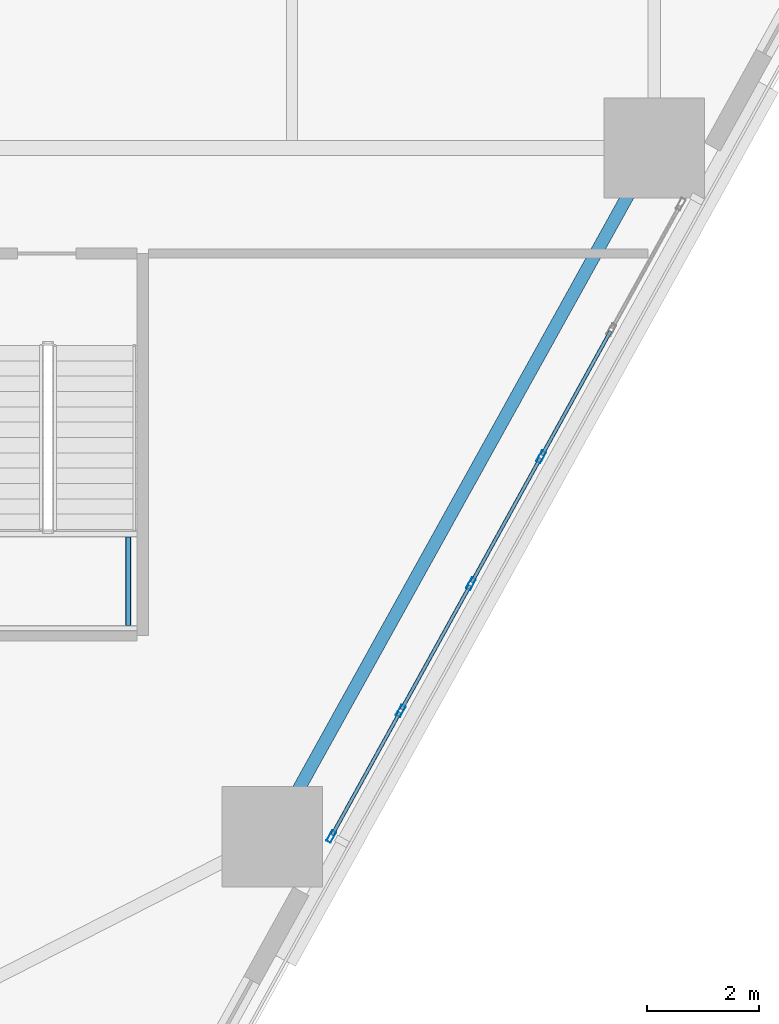
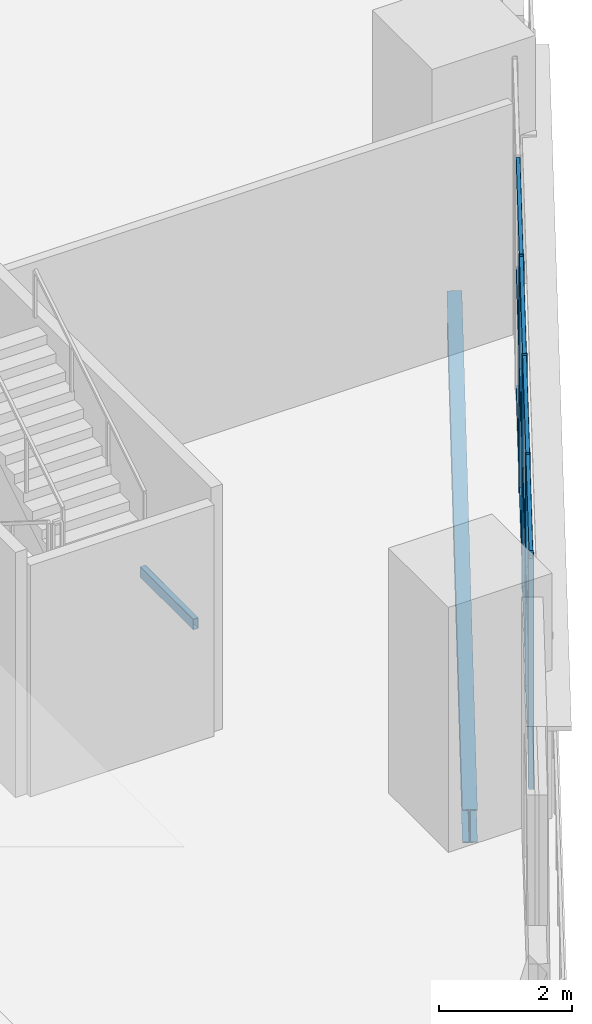
# One storey, part 2 of 21: 16 members, 2 beams, 1 element without a shape of its own.
"""IFC4 building model written with IfcOpenShell, lengths in metres."""

from ifc_helpers import new_model, si_unit, direction, frame, origin, origin_2d, place, context, subcontext, project, spatial, hollow_rectangle, i_section, extrude, material, layer, layer_set, material_profile, profile_set, type_object, element, aggregate, save


model = new_model("IFC4")

# Units and contexts
model_context = context("Model", 3, precision=1e-05, world=origin(), true_north=direction((0.0, 1.0)))
body_context = subcontext(model_context, "Body", "Model", "MODEL_VIEW")
ifc_project = project(units=[si_unit("LENGTHUNIT", "METRE"), si_unit("AREAUNIT", "SQUARE_METRE"), si_unit("VOLUMEUNIT", "CUBIC_METRE"), si_unit("PLANEANGLEUNIT", "RADIAN"), si_unit("MASSUNIT", "GRAM", prefix="KILO")], contexts=[model_context])

# Site, building, storey
site_placement = place(None, origin())
site = spatial("IfcSite", under=ifc_project, at=site_placement, CompositionType="ELEMENT")
building_placement = place(site_placement, origin())
building = spatial("IfcBuilding", under=site, at=building_placement, Name="Cinnabar Lancet Tower", CompositionType="ELEMENT")
storey_placement = place(building_placement, frame((0.0, 0.0, 6.0)))
storey = spatial("IfcBuildingStorey", under=building, at=storey_placement, Name="L01", CompositionType="ELEMENT", Elevation=6.0)

# Curtain wall, members
ifc_material_1 = material(Name="Thermally broken bronze-anodized aluminium and low-E glass", Category="aluminium")
ifc_layer = layer(ifc_material_1, 0.179931640625)
ifc_layer_set = layer_set([ifc_layer], Name="Thermally broken bronze-anodized aluminium and low-E glass")
curtain_wall_type = type_object("IfcCurtainWallType", Name="ENV-CW-SYS-02", PredefinedType="NOTDEFINED", material=ifc_layer_set)
curtain_wall_placement = place(storey_placement, origin())
curtain_wall = element("IfcCurtainWall", 1, at=curtain_wall_placement, inside=storey, type_object=curtain_wall_type, Name="L01 Face 2 Feature Curtain Wall", PredefinedType="NOTDEFINED")
ifc_material_2 = material(Name="Anodized architectural aluminium 6063-T6", Category="aluminium")
ifc_material_profile_1 = material_profile(ifc_material_2, hollow_rectangle(XDim=0.0849609375, YDim=0.219970703125, WallThickness=0.0048828125, InnerFilletRadius=0.00244140625, OuterFilletRadius=0.007568359375, at=origin_2d()), Name="CW-MUL 220x85x5")
ifc_profile_set_1 = profile_set([ifc_material_profile_1], Name="Anodized architectural aluminium 6063-T6")
member_type_1 = type_object("IfcMemberType", Name="ENV-CW-MUL-220", PredefinedType="MULLION", material=ifc_profile_set_1)
member_1_placement = place(storey_placement, frame((54.1005859375, 7.34619140625, 0.0), z_axis=(0.0, 0.0, 1.0), x_axis=(-0.875242391442, 0.48368456273, 0.0)))
member_1 = element("IfcMember", 2, at=member_1_placement, type_object=member_type_1, Name="CW-02 mullion 1", PredefinedType="MULLION", context=body_context, shape_type="SweptSolid", body=[
    extrude(hollow_rectangle(XDim=0.0849609375, YDim=0.219970703125, WallThickness=0.0048828125, InnerFilletRadius=0.00244140625, OuterFilletRadius=0.007568359375, at=origin_2d()), origin(), (0.0, 0.0, 1.0), 4.25),
])
member_2_placement = place(storey_placement, frame((55.344970703125, 9.59814453125, 0.0), z_axis=(0.0, 0.0, 1.0), x_axis=(-0.875242391442, 0.48368456273, 0.0)))
member_2 = element("IfcMember", 3, at=member_2_placement, type_object=member_type_1, Name="CW-02 mullion 2", PredefinedType="MULLION", context=body_context, shape_type="SweptSolid", body=[
    extrude(hollow_rectangle(XDim=0.0849609375, YDim=0.219970703125, WallThickness=0.0048828125, InnerFilletRadius=0.00244140625, OuterFilletRadius=0.007568359375, at=origin_2d()), origin(), (0.0, 0.0, 1.0), 4.25),
])
member_3_placement = place(storey_placement, frame((56.60400390625, 11.87646484375, 0.0), z_axis=(0.0, 0.0, 1.0), x_axis=(-0.875242391442, 0.48368456273, 0.0)))
member_3 = element("IfcMember", 4, at=member_3_placement, type_object=member_type_1, Name="CW-02 mullion 3", PredefinedType="MULLION", context=body_context, shape_type="SweptSolid", body=[
    extrude(hollow_rectangle(XDim=0.0849609375, YDim=0.219970703125, WallThickness=0.0048828125, InnerFilletRadius=0.00244140625, OuterFilletRadius=0.007568359375, at=origin_2d()), origin(), (0.0, 0.0, 1.0), 4.25),
])
member_4_placement = place(storey_placement, frame((57.863037109375, 14.154541015625, 0.0), z_axis=(0.0, 0.0, 1.0), x_axis=(-0.875242391442, 0.48368456273, 0.0)))
member_4 = element("IfcMember", 5, at=member_4_placement, type_object=member_type_1, Name="CW-02 mullion 4", PredefinedType="MULLION", context=body_context, shape_type="SweptSolid", body=[
    extrude(hollow_rectangle(XDim=0.0849609375, YDim=0.219970703125, WallThickness=0.0048828125, InnerFilletRadius=0.00244140625, OuterFilletRadius=0.007568359375, at=origin_2d()), origin(), (0.0, 0.0, 1.0), 4.25),
])
ifc_material_3 = material(Name="Anodized architectural aluminium 6063-T6", Category="aluminium")
ifc_material_profile_2 = material_profile(ifc_material_3, hollow_rectangle(XDim=0.06494140625, YDim=0.14990234375, WallThickness=0.00390625, InnerFilletRadius=0.001953125, OuterFilletRadius=0.006103515625, at=origin_2d()), Name="CW-TRN 150x65x4")
ifc_profile_set_2 = profile_set([ifc_material_profile_2], Name="Anodized architectural aluminium 6063-T6")
member_type_2 = type_object("IfcMemberType", Name="ENV-CW-TRN-160", PredefinedType="USERDEFINED", material=ifc_profile_set_2)
member_5_placement = place(storey_placement, frame((54.114990234375, 7.37255859375, 0.030029296875), z_axis=(0.483711571576, 0.875227465019, 0.0), x_axis=(-0.875227465019, 0.483711571576, 0.0)))
member_5 = element("IfcMember", 6, at=member_5_placement, type_object=member_type_2, Name="CW-02 transom 1.1", ObjectType="TRANSOM", PredefinedType="USERDEFINED", context=body_context, shape_type="SweptSolid", body=[
    extrude(hollow_rectangle(XDim=0.06494140625, YDim=0.14990234375, WallThickness=0.00390625, InnerFilletRadius=0.001953125, OuterFilletRadius=0.006103515625, at=origin_2d()), origin(), (0.0, 0.0, 1.0), 2.512939453125),
])
member_6_placement = place(storey_placement, frame((54.114990234375, 7.37255859375, 2.2099609375), z_axis=(0.483711571576, 0.875227465019, 0.0), x_axis=(-0.875227465019, 0.483711571576, 0.0)))
member_6 = element("IfcMember", 7, at=member_6_placement, type_object=member_type_2, Name="CW-02 transom 1.2", ObjectType="TRANSOM", PredefinedType="USERDEFINED", context=body_context, shape_type="SweptSolid", body=[
    extrude(hollow_rectangle(XDim=0.06494140625, YDim=0.14990234375, WallThickness=0.00390625, InnerFilletRadius=0.001953125, OuterFilletRadius=0.006103515625, at=origin_2d()), origin(), (0.0, 0.0, 1.0), 2.512939453125),
])
member_7_placement = place(storey_placement, frame((54.114990234375, 7.37255859375, 4.219970703125), z_axis=(0.483711571576, 0.875227465019, 0.0), x_axis=(-0.875227465019, 0.483711571576, 0.0)))
member_7 = element("IfcMember", 8, at=member_7_placement, type_object=member_type_2, Name="CW-02 transom 1.3", ObjectType="TRANSOM", PredefinedType="USERDEFINED", context=body_context, shape_type="SweptSolid", body=[
    extrude(hollow_rectangle(XDim=0.06494140625, YDim=0.14990234375, WallThickness=0.00390625, InnerFilletRadius=0.001953125, OuterFilletRadius=0.006103515625, at=origin_2d()), origin(), (0.0, 0.0, 1.0), 2.512939453125),
])
member_8_placement = place(storey_placement, frame((55.359619140625, 9.62451171875, 0.030029296875), z_axis=(0.483701595558, 0.875232978386, 0.0), x_axis=(-0.875232978386, 0.483701595558, 0.0)))
member_8 = element("IfcMember", 9, at=member_8_placement, type_object=member_type_2, Name="CW-02 transom 2.1", ObjectType="TRANSOM", PredefinedType="USERDEFINED", context=body_context, shape_type="SweptSolid", body=[
    extrude(hollow_rectangle(XDim=0.06494140625, YDim=0.14990234375, WallThickness=0.00390625, InnerFilletRadius=0.001953125, OuterFilletRadius=0.006103515625, at=origin_2d()), origin(), (0.0, 0.0, 1.0), 2.54296875),
])
member_9_placement = place(storey_placement, frame((55.359619140625, 9.62451171875, 2.2099609375), z_axis=(0.483701595558, 0.875232978386, 0.0), x_axis=(-0.875232978386, 0.483701595558, 0.0)))
member_9 = element("IfcMember", 10, at=member_9_placement, type_object=member_type_2, Name="CW-02 transom 2.2", ObjectType="TRANSOM", PredefinedType="USERDEFINED", context=body_context, shape_type="SweptSolid", body=[
    extrude(hollow_rectangle(XDim=0.06494140625, YDim=0.14990234375, WallThickness=0.00390625, InnerFilletRadius=0.001953125, OuterFilletRadius=0.006103515625, at=origin_2d()), origin(), (0.0, 0.0, 1.0), 2.54296875),
])
member_10_placement = place(storey_placement, frame((55.359619140625, 9.62451171875, 4.219970703125), z_axis=(0.483701595558, 0.875232978386, 0.0), x_axis=(-0.875232978386, 0.483701595558, 0.0)))
member_10 = element("IfcMember", 11, at=member_10_placement, type_object=member_type_2, Name="CW-02 transom 2.3", ObjectType="TRANSOM", PredefinedType="USERDEFINED", context=body_context, shape_type="SweptSolid", body=[
    extrude(hollow_rectangle(XDim=0.06494140625, YDim=0.14990234375, WallThickness=0.00390625, InnerFilletRadius=0.001953125, OuterFilletRadius=0.006103515625, at=origin_2d()), origin(), (0.0, 0.0, 1.0), 2.54296875),
])
member_11_placement = place(storey_placement, frame((56.618408203125, 11.902587890625, 0.030029296875), z_axis=(0.483660952196, 0.875255438898, 0.0), x_axis=(-0.875255438898, 0.483660952196, 0.0)))
member_11 = element("IfcMember", 12, at=member_11_placement, type_object=member_type_2, Name="CW-02 transom 3.1", ObjectType="TRANSOM", PredefinedType="USERDEFINED", context=body_context, shape_type="SweptSolid", body=[
    extrude(hollow_rectangle(XDim=0.06494140625, YDim=0.14990234375, WallThickness=0.00390625, InnerFilletRadius=0.001953125, OuterFilletRadius=0.006103515625, at=origin_2d()), origin(), (0.0, 0.0, 1.0), 2.54296875),
])
member_12_placement = place(storey_placement, frame((56.618408203125, 11.902587890625, 2.2099609375), z_axis=(0.483660952196, 0.875255438898, 0.0), x_axis=(-0.875255438898, 0.483660952196, 0.0)))
member_12 = element("IfcMember", 13, at=member_12_placement, type_object=member_type_2, Name="CW-02 transom 3.2", ObjectType="TRANSOM", PredefinedType="USERDEFINED", context=body_context, shape_type="SweptSolid", body=[
    extrude(hollow_rectangle(XDim=0.06494140625, YDim=0.14990234375, WallThickness=0.00390625, InnerFilletRadius=0.001953125, OuterFilletRadius=0.006103515625, at=origin_2d()), origin(), (0.0, 0.0, 1.0), 2.54296875),
])
member_13_placement = place(storey_placement, frame((56.618408203125, 11.902587890625, 4.219970703125), z_axis=(0.483660952196, 0.875255438898, 0.0), x_axis=(-0.875255438898, 0.483660952196, 0.0)))
member_13 = element("IfcMember", 14, at=member_13_placement, type_object=member_type_2, Name="CW-02 transom 3.3", ObjectType="TRANSOM", PredefinedType="USERDEFINED", context=body_context, shape_type="SweptSolid", body=[
    extrude(hollow_rectangle(XDim=0.06494140625, YDim=0.14990234375, WallThickness=0.00390625, InnerFilletRadius=0.001953125, OuterFilletRadius=0.006103515625, at=origin_2d()), origin(), (0.0, 0.0, 1.0), 2.54296875),
])
member_14_placement = place(storey_placement, frame((57.87744140625, 14.180908203125, 0.030029296875), z_axis=(0.483701595558, 0.875232978386, 0.0), x_axis=(-0.875232978386, 0.483701595558, 0.0)))
member_14 = element("IfcMember", 15, at=member_14_placement, type_object=member_type_2, Name="CW-02 transom 4.1", ObjectType="TRANSOM", PredefinedType="USERDEFINED", context=body_context, shape_type="SweptSolid", body=[
    extrude(hollow_rectangle(XDim=0.06494140625, YDim=0.14990234375, WallThickness=0.00390625, InnerFilletRadius=0.001953125, OuterFilletRadius=0.006103515625, at=origin_2d()), origin(), (0.0, 0.0, 1.0), 2.54296875),
])
member_15_placement = place(storey_placement, frame((57.87744140625, 14.180908203125, 2.2099609375), z_axis=(0.483701595558, 0.875232978386, 0.0), x_axis=(-0.875232978386, 0.483701595558, 0.0)))
member_15 = element("IfcMember", 16, at=member_15_placement, type_object=member_type_2, Name="CW-02 transom 4.2", ObjectType="TRANSOM", PredefinedType="USERDEFINED", context=body_context, shape_type="SweptSolid", body=[
    extrude(hollow_rectangle(XDim=0.06494140625, YDim=0.14990234375, WallThickness=0.00390625, InnerFilletRadius=0.001953125, OuterFilletRadius=0.006103515625, at=origin_2d()), origin(), (0.0, 0.0, 1.0), 2.54296875),
])
member_16_placement = place(storey_placement, frame((57.87744140625, 14.180908203125, 4.219970703125), z_axis=(0.483701595558, 0.875232978386, 0.0), x_axis=(-0.875232978386, 0.483701595558, 0.0)))
member_16 = element("IfcMember", 17, at=member_16_placement, type_object=member_type_2, Name="CW-02 transom 4.3", ObjectType="TRANSOM", PredefinedType="USERDEFINED", context=body_context, shape_type="SweptSolid", body=[
    extrude(hollow_rectangle(XDim=0.06494140625, YDim=0.14990234375, WallThickness=0.00390625, InnerFilletRadius=0.001953125, OuterFilletRadius=0.006103515625, at=origin_2d()), origin(), (0.0, 0.0, 1.0), 2.54296875),
])
aggregate(curtain_wall, [member_1, member_2, member_3, member_4, member_5, member_6, member_7, member_8, member_9, member_10, member_11, member_12, member_13, member_14, member_15, member_16])

# Beams
ifc_material_4 = material(Name="Structural steel S355", Category="steel")
ifc_material_profile_3 = material_profile(ifc_material_4, hollow_rectangle(XDim=0.10009765625, YDim=0.199951171875, WallThickness=0.008056640625, InnerFilletRadius=0.00390625, OuterFilletRadius=0.011962890625, at=origin_2d()), Name="RHS 200x100x8")
ifc_profile_set_3 = profile_set([ifc_material_profile_3], Name="Structural steel S355")
beam_type_1 = type_object("IfcBeamType", Name="STR-BM-LND-203", PredefinedType="BEAM", material=ifc_profile_set_3)
beam_1_placement = place(storey_placement, frame((50.4599609375, 11.1298828125, 1.949951171875), z_axis=(0.0, 1.0, 0.0), x_axis=(-1.0, 0.0, 0.0)))
element("IfcBeam", 18, at=beam_1_placement, inside=storey, type_object=beam_type_1, Name="L01 ST-4-L01 Landing Side Trimmer Beam", PredefinedType="BEAM", context=body_context, shape_type="SweptSolid", body=[
    extrude(hollow_rectangle(XDim=0.10009765625, YDim=0.199951171875, WallThickness=0.008056640625, InnerFilletRadius=0.00390625, OuterFilletRadius=0.011962890625, at=origin_2d()), origin(), (0.0, 0.0, 1.0), 1.590087890625),
])
ifc_material_5 = material(Name="Structural steel S355", Category="steel")
ifc_material_profile_4 = material_profile(ifc_material_5, i_section(OverallWidth=0.228271484375, OverallDepth=0.607666015625, WebThickness=0.010986328125, FlangeThickness=0.017333984375, FilletRadius=0.0126953125, at=origin_2d()), Name="UKB 610x229x113")
ifc_profile_set_4 = profile_set([ifc_material_profile_4], Name="Structural steel S355")
beam_type_2 = type_object("IfcBeamType", Name="STR-BM-SPN-610", PredefinedType="SPANDREL", material=ifc_profile_set_4)
beam_2_placement = place(storey_placement, frame((53.1640625, 7.56298828125, -0.553955078125), z_axis=(0.485044660428, 0.874489380947, 0.0), x_axis=(-0.874489380947, 0.485044660428, 0.0)))
element("IfcBeam", 19, at=beam_2_placement, inside=storey, type_object=beam_type_2, Name="L01 Perimeter Spandrel 3", PredefinedType="SPANDREL", context=body_context, shape_type="SweptSolid", body=[
    extrude(i_section(OverallWidth=0.228271484375, OverallDepth=0.607666015625, WebThickness=0.010986328125, FlangeThickness=0.017333984375, FilletRadius=0.0126953125, at=origin_2d()), origin(), (0.0, 0.0, 1.0), 13.619384765625),
])

save(model, "model.ifc")
